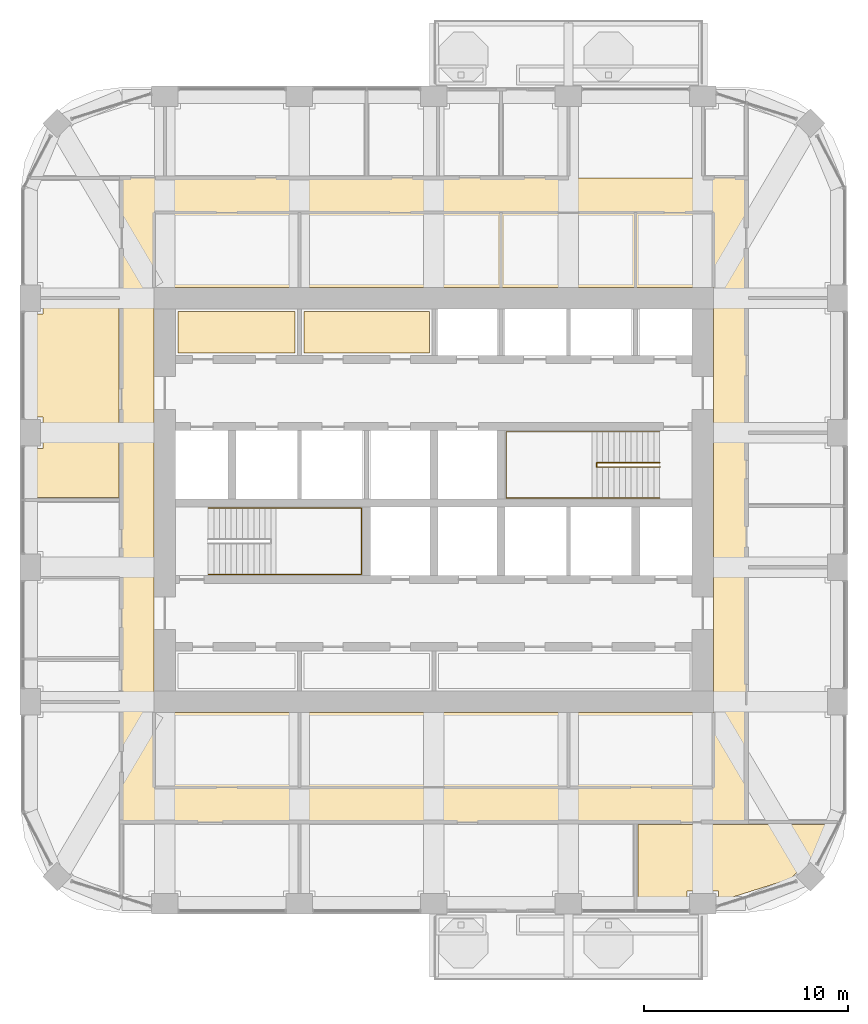
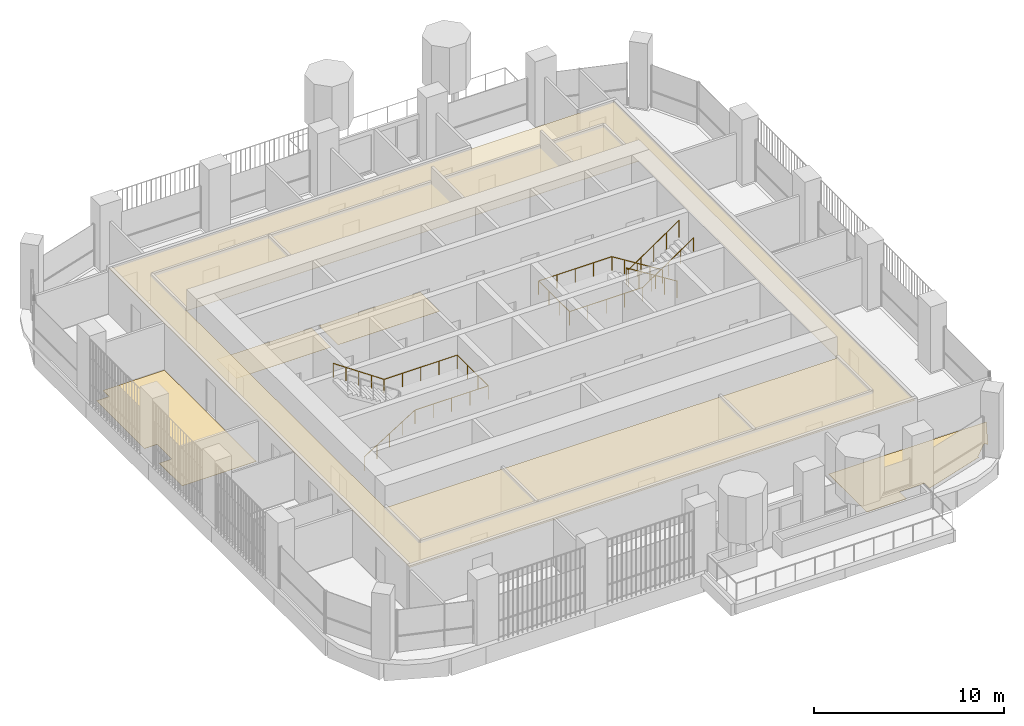
# One storey, part 19 of 21: 5 coverings, 3 railings.
"""IFC4 building model written with IfcOpenShell, lengths in metres."""

from ifc_helpers import new_model, si_unit, direction, frame, origin, place, context, subcontext, project, spatial, polyline, outline, extrude, material, layer, layer_set, type_object, element, save


model = new_model("IFC4")

# Units and contexts
model_context = context("Model", 3, precision=1e-05, world=origin(), true_north=direction((0.0, 1.0)))
body_context = subcontext(model_context, "Body", "Model", "MODEL_VIEW")
ifc_project = project(units=[si_unit("LENGTHUNIT", "METRE"), si_unit("AREAUNIT", "SQUARE_METRE"), si_unit("VOLUMEUNIT", "CUBIC_METRE"), si_unit("PLANEANGLEUNIT", "RADIAN"), si_unit("MASSUNIT", "GRAM", prefix="KILO")], contexts=[model_context])

# Site, building, storey
site_placement = place(None, origin())
site = spatial("IfcSite", under=ifc_project, at=site_placement, CompositionType="ELEMENT")
building_placement = place(site_placement, origin())
building = spatial("IfcBuilding", under=site, at=building_placement, Name="Cobogo Forest Laboratory Tower", CompositionType="ELEMENT")
storey_placement = place(building_placement, frame((0.0, 0.0, 241.800048828125)))
storey = spatial("IfcBuildingStorey", under=building, at=storey_placement, Name="L55", CompositionType="ELEMENT", Elevation=241.800048828125)

# Coverings
ifc_material_1 = material(Name="Mineral fibre ceiling tile", Category="ceiling")
ifc_layer_1 = layer(ifc_material_1, 0.02001953125)
ifc_layer_set_1 = layer_set([ifc_layer_1], Name="CL1 suspended ceiling")
covering_type_1 = type_object("IfcCoveringType", Name="CL1 suspended ceiling", PredefinedType="CEILING", material=ifc_layer_set_1)
covering_1_placement = place(storey_placement, frame((0.0, 0.0, 2.800048828125)))
element("IfcCovering", 1, at=covering_1_placement, inside=storey, type_object=covering_type_1, Name="Corridor ceiling L55", PredefinedType="CEILING", context=body_context, shape_type="SweptSolid", body=[
    extrude(outline(polyline([(11.074951171875, 7.300048828125), (11.074951171875, 38.89990234375), (41.72509765625, 38.89990234375), (41.72509765625, 7.300048828125), (11.074951171875, 7.300048828125)]), holes=[polyline([(40.125, 33.52490234375), (12.675048828125, 33.52490234375), (12.675048828125, 12.675048828125), (40.125, 12.675048828125), (40.125, 33.52490234375)])]), origin(), (0.0, 0.0, 1.0), 0.02001953125),
])
ifc_material_2 = material(Name="Carpet tile on raised access floor", Category="flooring")
ifc_layer_2 = layer(ifc_material_2, 0.008056640625)
ifc_layer_set_2 = layer_set([ifc_layer_2], Name="CT1 carpet tile floor 8")
covering_type_2 = type_object("IfcCoveringType", Name="CT1 carpet tile floor 8", PredefinedType="FLOORING", material=ifc_layer_set_2)
covering_2_placement = place(storey_placement, origin())
element("IfcCovering", 2, at=covering_2_placement, inside=storey, type_object=covering_type_2, Name="Carpet floor L55-10", PredefinedType="FLOORING", context=body_context, shape_type="SweptSolid", body=[
    extrude(outline(polyline([(44.05615234375, 4.56689453125), (40.3701171875, 3.40283203125), (40.3701171875, 3.919921875), (38.830078125, 3.919921875), (38.830078125, 3.14990234375), (36.419921875, 3.14990234375), (36.419921875, 7.179931640625), (45.999267578125, 7.179931640625), (45.035400390625, 5.34130859375), (44.882080078125, 5.494873046875), (44.005126953125, 4.617919921875), (44.05615234375, 4.56689453125)])), origin(), (0.0, 0.0, 1.0), 0.008056640625),
])
covering_3_placement = place(storey_placement, origin())
element("IfcCovering", 3, at=covering_3_placement, inside=storey, type_object=covering_type_2, Name="Carpet floor L55-26", PredefinedType="FLOORING", context=body_context, shape_type="SweptSolid", body=[
    extrude(outline(polyline([(10.955078125, 23.219970703125), (6.449951171875, 23.219970703125), (6.449951171875, 25.6298828125), (7.219970703125, 25.6298828125), (7.219970703125, 27.169921875), (6.449951171875, 27.169921875), (6.449951171875, 32.22998046875), (7.219970703125, 32.22998046875), (7.219970703125, 32.8798828125), (10.955078125, 32.8798828125), (10.955078125, 23.219970703125)])), origin(), (0.0, 0.0, 1.0), 0.008056640625),
])
covering_4_placement = place(storey_placement, origin())
element("IfcCovering", 4, at=covering_4_placement, inside=storey, type_object=covering_type_2, Name="Carpet floor L55-38", PredefinedType="FLOORING", context=body_context, shape_type="SweptSolid", body=[
    extrude(outline(polyline([(19.580078125, 30.320068359375), (13.844970703125, 30.320068359375), (13.844970703125, 32.35498046875), (19.580078125, 32.35498046875), (19.580078125, 30.320068359375)])), origin(), (0.0, 0.0, 1.0), 0.008056640625),
])
covering_5_placement = place(storey_placement, origin())
element("IfcCovering", 5, at=covering_5_placement, inside=storey, type_object=covering_type_2, Name="Carpet floor L55-39", PredefinedType="FLOORING", context=body_context, shape_type="SweptSolid", body=[
    extrude(outline(polyline([(26.179931640625, 30.320068359375), (20.02001953125, 30.320068359375), (20.02001953125, 32.35498046875), (26.179931640625, 32.35498046875), (26.179931640625, 30.320068359375)])), origin(), (0.0, 0.0, 1.0), 0.008056640625),
])

# Railings
ifc_material_3 = material(Name="Steel balustrade", Category="steel")
railing_type_1 = type_object("IfcRailingType", Name="GR stair guard 1100", PredefinedType="GUARDRAIL", material=ifc_material_3)
railing_1_placement = place(storey_placement, frame((37.47509765625, 24.929931640625, 0.175048828125)))
element("IfcRailing", 6, at=railing_1_placement, inside=storey, type_object=railing_type_1, Name="Stair guard ST2 L55", PredefinedType="GUARDRAIL", context=body_context, shape_type="SweptSolid", body=[
    extrude(outline(polyline([(0.022216796875, 0.00927734375), (0.00927734375, 0.022216796875), (-0.00927734375, 0.022216796875), (-0.022216796875, 0.00927734375), (-0.022216796875, -0.00927734375), (-0.00927734375, -0.022216796875), (0.00927734375, -0.022216796875), (0.022216796875, -0.00927734375), (0.022216796875, 0.00927734375)])), frame((0.0, 0.0, 1.077880859375), z_axis=(-0.848028513186, 0.0, 0.529950602248), x_axis=(0.0, -1.0, 0.0)), (0.0, 0.0, 1.0), 3.632080078125),
    extrude(outline(polyline([(0.022216796875, 0.00927734375), (0.00927734375, 0.022216796875), (-0.00927734375, 0.022216796875), (-0.022216796875, 0.00927734375), (-0.022216796875, -0.00927734375), (-0.00927734375, -0.022216796875), (0.00927734375, -0.022216796875), (0.022216796875, -0.00927734375), (0.022216796875, 0.00927734375)])), frame((-3.080078125, 0.0, 3.002685546875), z_axis=(0.0, -1.0, 0.0), x_axis=(1.0, 0.0, 0.0)), (0.0, 0.0, 1.0), 0.2099609375),
    extrude(outline(polyline([(0.022216796875, 0.00927734375), (0.00927734375, 0.022216796875), (-0.00927734375, 0.022216796875), (-0.022216796875, 0.00927734375), (-0.022216796875, -0.00927734375), (-0.00927734375, -0.022216796875), (0.00927734375, -0.022216796875), (0.022216796875, -0.00927734375), (0.022216796875, 0.00927734375)])), frame((-3.080078125, -0.2099609375, 3.002685546875), z_axis=(0.826221800596, 0.0, 0.563344953133), x_axis=(0.0, 1.0, 0.0)), (0.0, 0.0, 1.0), 3.72802734375),
    extrude(outline(polyline([(0.019287109375, 0.008056640625), (0.008056640625, 0.019287109375), (-0.008056640625, 0.019287109375), (-0.019287109375, 0.008056640625), (-0.019287109375, -0.008056640625), (-0.008056640625, -0.019287109375), (0.008056640625, -0.019287109375), (0.019287109375, -0.008056640625), (0.019287109375, 0.008056640625)])), origin(), (0.0, 0.0, 1.0), 1.077880859375),
    extrude(outline(polyline([(0.019287109375, 0.008056640625), (0.008056640625, 0.019287109375), (-0.008056640625, 0.019287109375), (-0.019287109375, 0.008056640625), (-0.019287109375, -0.008056640625), (-0.008056640625, -0.019287109375), (0.008056640625, -0.019287109375), (0.019287109375, -0.008056640625), (0.019287109375, 0.008056640625)])), frame((-0.77001953125, 0.0, 0.481201171875)), (0.0, 0.0, 1.0), 1.077880859375),
    extrude(outline(polyline([(0.019287109375, 0.008056640625), (0.008056640625, 0.019287109375), (-0.008056640625, 0.019287109375), (-0.019287109375, 0.008056640625), (-0.019287109375, -0.008056640625), (-0.008056640625, -0.019287109375), (0.008056640625, -0.019287109375), (0.019287109375, -0.008056640625), (0.019287109375, 0.008056640625)])), frame((-1.5400390625, 0.0, 0.96240234375)), (0.0, 0.0, 1.0), 1.077880859375),
    extrude(outline(polyline([(0.019287109375, 0.008056640625), (0.008056640625, 0.019287109375), (-0.008056640625, 0.019287109375), (-0.019287109375, 0.008056640625), (-0.019287109375, -0.008056640625), (-0.008056640625, -0.019287109375), (0.008056640625, -0.019287109375), (0.019287109375, -0.008056640625), (0.019287109375, 0.008056640625)])), frame((-2.31005859375, 0.0, 1.443603515625)), (0.0, 0.0, 1.0), 1.077880859375),
    extrude(outline(polyline([(0.019287109375, 0.008056640625), (0.008056640625, 0.019287109375), (-0.008056640625, 0.019287109375), (-0.019287109375, 0.008056640625), (-0.019287109375, -0.008056640625), (-0.008056640625, -0.019287109375), (0.008056640625, -0.019287109375), (0.019287109375, -0.008056640625), (0.019287109375, 0.008056640625)])), frame((-3.080078125, 0.0, 1.9248046875)), (0.0, 0.0, 1.0), 1.077880859375),
    extrude(outline(polyline([(0.019287109375, 0.008056640625), (0.008056640625, 0.019287109375), (-0.008056640625, 0.019287109375), (-0.019287109375, 0.008056640625), (-0.019287109375, -0.008056640625), (-0.008056640625, -0.019287109375), (0.008056640625, -0.019287109375), (0.019287109375, -0.008056640625), (0.019287109375, 0.008056640625)])), frame((-3.080078125, -0.2099609375, 1.9248046875)), (0.0, 0.0, 1.0), 1.077880859375),
    extrude(outline(polyline([(0.019287109375, 0.008056640625), (0.008056640625, 0.019287109375), (-0.008056640625, 0.019287109375), (-0.019287109375, 0.008056640625), (-0.019287109375, -0.008056640625), (-0.008056640625, -0.019287109375), (0.008056640625, -0.019287109375), (0.019287109375, -0.008056640625), (0.019287109375, 0.008056640625)])), frame((-2.31005859375, -0.2099609375, 2.44970703125)), (0.0, 0.0, 1.0), 1.077880859375),
    extrude(outline(polyline([(0.019287109375, 0.008056640625), (0.008056640625, 0.019287109375), (-0.008056640625, 0.019287109375), (-0.019287109375, 0.008056640625), (-0.019287109375, -0.008056640625), (-0.008056640625, -0.019287109375), (0.008056640625, -0.019287109375), (0.019287109375, -0.008056640625), (0.019287109375, 0.008056640625)])), frame((-1.5400390625, -0.2099609375, 2.974853515625)), (0.0, 0.0, 1.0), 1.077880859375),
    extrude(outline(polyline([(0.019287109375, 0.008056640625), (0.008056640625, 0.019287109375), (-0.008056640625, 0.019287109375), (-0.019287109375, 0.008056640625), (-0.019287109375, -0.008056640625), (-0.008056640625, -0.019287109375), (0.008056640625, -0.019287109375), (0.019287109375, -0.008056640625), (0.019287109375, 0.008056640625)])), frame((-0.77001953125, -0.2099609375, 3.5)), (0.0, 0.0, 1.0), 1.077880859375),
    extrude(outline(polyline([(0.019287109375, 0.008056640625), (0.008056640625, 0.019287109375), (-0.008056640625, 0.019287109375), (-0.019287109375, 0.008056640625), (-0.019287109375, -0.008056640625), (-0.008056640625, -0.019287109375), (0.008056640625, -0.019287109375), (0.019287109375, -0.008056640625), (0.019287109375, 0.008056640625)])), frame((0.0, -0.2099609375, 4.02490234375)), (0.0, 0.0, 1.0), 1.077880859375),
])
ifc_material_4 = material(Name="Stainless steel handrail", Category="steel")
railing_type_2 = type_object("IfcRailingType", Name="HR handrail 900", PredefinedType="HANDRAIL", material=ifc_material_4)
railing_2_placement = place(storey_placement, frame((15.324951171875, 19.449951171875, 0.175048828125)))
element("IfcRailing", 7, at=railing_2_placement, inside=storey, type_object=railing_type_2, Name="Stair handrail ST1 L55", PredefinedType="HANDRAIL", context=body_context, shape_type="SweptSolid", body=[
    extrude(outline(polyline([(0.022216796875, 0.00927734375), (0.00927734375, 0.022216796875), (-0.00927734375, 0.022216796875), (-0.022216796875, 0.00927734375), (-0.022216796875, -0.00927734375), (-0.00927734375, -0.022216796875), (0.00927734375, -0.022216796875), (0.022216796875, -0.00927734375), (0.022216796875, 0.00927734375)])), frame((0.0, 0.0, 0.877685546875), z_axis=(0.848028513186, 0.0, 0.529950602248), x_axis=(0.0, 1.0, 0.0)), (0.0, 0.0, 1.0), 3.632080078125),
    extrude(outline(polyline([(0.022216796875, 0.00927734375), (0.00927734375, 0.022216796875), (-0.00927734375, 0.022216796875), (-0.022216796875, 0.00927734375), (-0.022216796875, -0.00927734375), (-0.00927734375, -0.022216796875), (0.00927734375, -0.022216796875), (0.022216796875, -0.00927734375), (0.022216796875, 0.00927734375)])), frame((3.080078125, 0.0, 2.802490234375), z_axis=(1.0, 0.0, 0.0), x_axis=(0.0, 1.0, 0.0)), (0.0, 0.0, 1.0), 4.445068359375),
    extrude(outline(polyline([(0.022216796875, 0.00927734375), (0.00927734375, 0.022216796875), (-0.00927734375, 0.022216796875), (-0.022216796875, 0.00927734375), (-0.022216796875, -0.00927734375), (-0.00927734375, -0.022216796875), (0.00927734375, -0.022216796875), (0.022216796875, -0.00927734375), (0.022216796875, 0.00927734375)])), frame((7.525146484375, 0.0, 2.802490234375), z_axis=(0.0, 1.0, 0.0), x_axis=(-1.0, 0.0, 0.0)), (0.0, 0.0, 1.0), 3.25),
    extrude(outline(polyline([(0.022216796875, 0.00927734375), (0.00927734375, 0.022216796875), (-0.00927734375, 0.022216796875), (-0.022216796875, 0.00927734375), (-0.022216796875, -0.00927734375), (-0.00927734375, -0.022216796875), (0.00927734375, -0.022216796875), (0.022216796875, -0.00927734375), (0.022216796875, 0.00927734375)])), frame((7.525146484375, 3.25, 2.802490234375), z_axis=(-1.0, 0.0, 0.0), x_axis=(0.0, -1.0, 0.0)), (0.0, 0.0, 1.0), 4.445068359375),
    extrude(outline(polyline([(0.022216796875, 0.00927734375), (0.00927734375, 0.022216796875), (-0.00927734375, 0.022216796875), (-0.022216796875, 0.00927734375), (-0.022216796875, -0.00927734375), (-0.00927734375, -0.022216796875), (0.00927734375, -0.022216796875), (0.022216796875, -0.00927734375), (0.022216796875, 0.00927734375)])), frame((3.080078125, 3.25, 2.802490234375), z_axis=(-0.826221800596, 0.0, 0.563344953133), x_axis=(0.0, -1.0, 0.0)), (0.0, 0.0, 1.0), 3.72802734375),
    extrude(outline(polyline([(0.019287109375, 0.008056640625), (0.008056640625, 0.019287109375), (-0.008056640625, 0.019287109375), (-0.019287109375, 0.008056640625), (-0.019287109375, -0.008056640625), (-0.008056640625, -0.019287109375), (0.008056640625, -0.019287109375), (0.019287109375, -0.008056640625), (0.019287109375, 0.008056640625)])), origin(), (0.0, 0.0, 1.0), 0.877685546875),
    extrude(outline(polyline([(0.019287109375, 0.008056640625), (0.008056640625, 0.019287109375), (-0.008056640625, 0.019287109375), (-0.019287109375, 0.008056640625), (-0.019287109375, -0.008056640625), (-0.008056640625, -0.019287109375), (0.008056640625, -0.019287109375), (0.019287109375, -0.008056640625), (0.019287109375, 0.008056640625)])), frame((0.77001953125, 0.0, 0.481201171875)), (0.0, 0.0, 1.0), 0.877685546875),
    extrude(outline(polyline([(0.019287109375, 0.008056640625), (0.008056640625, 0.019287109375), (-0.008056640625, 0.019287109375), (-0.019287109375, 0.008056640625), (-0.019287109375, -0.008056640625), (-0.008056640625, -0.019287109375), (0.008056640625, -0.019287109375), (0.019287109375, -0.008056640625), (0.019287109375, 0.008056640625)])), frame((1.5400390625, 0.0, 0.96240234375)), (0.0, 0.0, 1.0), 0.877685546875),
    extrude(outline(polyline([(0.019287109375, 0.008056640625), (0.008056640625, 0.019287109375), (-0.008056640625, 0.019287109375), (-0.019287109375, 0.008056640625), (-0.019287109375, -0.008056640625), (-0.008056640625, -0.019287109375), (0.008056640625, -0.019287109375), (0.019287109375, -0.008056640625), (0.019287109375, 0.008056640625)])), frame((2.31005859375, 0.0, 1.443603515625)), (0.0, 0.0, 1.0), 0.877685546875),
    extrude(outline(polyline([(0.019287109375, 0.008056640625), (0.008056640625, 0.019287109375), (-0.008056640625, 0.019287109375), (-0.019287109375, 0.008056640625), (-0.019287109375, -0.008056640625), (-0.008056640625, -0.019287109375), (0.008056640625, -0.019287109375), (0.019287109375, -0.008056640625), (0.019287109375, 0.008056640625)])), frame((3.080078125, 0.0, 1.9248046875)), (0.0, 0.0, 1.0), 0.877685546875),
    extrude(outline(polyline([(0.019287109375, 0.008056640625), (0.008056640625, 0.019287109375), (-0.008056640625, 0.019287109375), (-0.019287109375, 0.008056640625), (-0.019287109375, -0.008056640625), (-0.008056640625, -0.019287109375), (0.008056640625, -0.019287109375), (0.019287109375, -0.008056640625), (0.019287109375, 0.008056640625)])), frame((4.19140625, 0.0, 1.9248046875)), (0.0, 0.0, 1.0), 0.877685546875),
    extrude(outline(polyline([(0.019287109375, 0.008056640625), (0.008056640625, 0.019287109375), (-0.008056640625, 0.019287109375), (-0.019287109375, 0.008056640625), (-0.019287109375, -0.008056640625), (-0.008056640625, -0.019287109375), (0.008056640625, -0.019287109375), (0.019287109375, -0.008056640625), (0.019287109375, 0.008056640625)])), frame((5.302734375, 0.0, 1.9248046875)), (0.0, 0.0, 1.0), 0.877685546875),
    extrude(outline(polyline([(0.019287109375, 0.008056640625), (0.008056640625, 0.019287109375), (-0.008056640625, 0.019287109375), (-0.019287109375, 0.008056640625), (-0.019287109375, -0.008056640625), (-0.008056640625, -0.019287109375), (0.008056640625, -0.019287109375), (0.019287109375, -0.008056640625), (0.019287109375, 0.008056640625)])), frame((6.413818359375, 0.0, 1.9248046875)), (0.0, 0.0, 1.0), 0.877685546875),
    extrude(outline(polyline([(0.019287109375, 0.008056640625), (0.008056640625, 0.019287109375), (-0.008056640625, 0.019287109375), (-0.019287109375, 0.008056640625), (-0.019287109375, -0.008056640625), (-0.008056640625, -0.019287109375), (0.008056640625, -0.019287109375), (0.019287109375, -0.008056640625), (0.019287109375, 0.008056640625)])), frame((7.525146484375, 0.0, 1.9248046875)), (0.0, 0.0, 1.0), 0.877685546875),
    extrude(outline(polyline([(0.019287109375, 0.008056640625), (0.008056640625, 0.019287109375), (-0.008056640625, 0.019287109375), (-0.019287109375, 0.008056640625), (-0.019287109375, -0.008056640625), (-0.008056640625, -0.019287109375), (0.008056640625, -0.019287109375), (0.019287109375, -0.008056640625), (0.019287109375, 0.008056640625)])), frame((7.525146484375, 1.083251953125, 1.9248046875)), (0.0, 0.0, 1.0), 0.877685546875),
    extrude(outline(polyline([(0.019287109375, 0.008056640625), (0.008056640625, 0.019287109375), (-0.008056640625, 0.019287109375), (-0.019287109375, 0.008056640625), (-0.019287109375, -0.008056640625), (-0.008056640625, -0.019287109375), (0.008056640625, -0.019287109375), (0.019287109375, -0.008056640625), (0.019287109375, 0.008056640625)])), frame((7.525146484375, 2.166748046875, 1.9248046875)), (0.0, 0.0, 1.0), 0.877685546875),
    extrude(outline(polyline([(0.019287109375, 0.008056640625), (0.008056640625, 0.019287109375), (-0.008056640625, 0.019287109375), (-0.019287109375, 0.008056640625), (-0.019287109375, -0.008056640625), (-0.008056640625, -0.019287109375), (0.008056640625, -0.019287109375), (0.019287109375, -0.008056640625), (0.019287109375, 0.008056640625)])), frame((7.525146484375, 3.25, 1.9248046875)), (0.0, 0.0, 1.0), 0.877685546875),
    extrude(outline(polyline([(0.019287109375, 0.008056640625), (0.008056640625, 0.019287109375), (-0.008056640625, 0.019287109375), (-0.019287109375, 0.008056640625), (-0.019287109375, -0.008056640625), (-0.008056640625, -0.019287109375), (0.008056640625, -0.019287109375), (0.019287109375, -0.008056640625), (0.019287109375, 0.008056640625)])), frame((6.413818359375, 3.25, 1.9248046875)), (0.0, 0.0, 1.0), 0.877685546875),
    extrude(outline(polyline([(0.019287109375, 0.008056640625), (0.008056640625, 0.019287109375), (-0.008056640625, 0.019287109375), (-0.019287109375, 0.008056640625), (-0.019287109375, -0.008056640625), (-0.008056640625, -0.019287109375), (0.008056640625, -0.019287109375), (0.019287109375, -0.008056640625), (0.019287109375, 0.008056640625)])), frame((5.302734375, 3.25, 1.9248046875)), (0.0, 0.0, 1.0), 0.877685546875),
    extrude(outline(polyline([(0.019287109375, 0.008056640625), (0.008056640625, 0.019287109375), (-0.008056640625, 0.019287109375), (-0.019287109375, 0.008056640625), (-0.019287109375, -0.008056640625), (-0.008056640625, -0.019287109375), (0.008056640625, -0.019287109375), (0.019287109375, -0.008056640625), (0.019287109375, 0.008056640625)])), frame((4.19140625, 3.25, 1.9248046875)), (0.0, 0.0, 1.0), 0.877685546875),
    extrude(outline(polyline([(0.019287109375, 0.008056640625), (0.008056640625, 0.019287109375), (-0.008056640625, 0.019287109375), (-0.019287109375, 0.008056640625), (-0.019287109375, -0.008056640625), (-0.008056640625, -0.019287109375), (0.008056640625, -0.019287109375), (0.019287109375, -0.008056640625), (0.019287109375, 0.008056640625)])), frame((3.080078125, 3.25, 1.9248046875)), (0.0, 0.0, 1.0), 0.877685546875),
    extrude(outline(polyline([(0.019287109375, 0.008056640625), (0.008056640625, 0.019287109375), (-0.008056640625, 0.019287109375), (-0.019287109375, 0.008056640625), (-0.019287109375, -0.008056640625), (-0.008056640625, -0.019287109375), (0.008056640625, -0.019287109375), (0.019287109375, -0.008056640625), (0.019287109375, 0.008056640625)])), frame((2.31005859375, 3.25, 2.44970703125)), (0.0, 0.0, 1.0), 0.877685546875),
    extrude(outline(polyline([(0.019287109375, 0.008056640625), (0.008056640625, 0.019287109375), (-0.008056640625, 0.019287109375), (-0.019287109375, 0.008056640625), (-0.019287109375, -0.008056640625), (-0.008056640625, -0.019287109375), (0.008056640625, -0.019287109375), (0.019287109375, -0.008056640625), (0.019287109375, 0.008056640625)])), frame((1.5400390625, 3.25, 2.974853515625)), (0.0, 0.0, 1.0), 0.877685546875),
    extrude(outline(polyline([(0.019287109375, 0.008056640625), (0.008056640625, 0.019287109375), (-0.008056640625, 0.019287109375), (-0.019287109375, 0.008056640625), (-0.019287109375, -0.008056640625), (-0.008056640625, -0.019287109375), (0.008056640625, -0.019287109375), (0.019287109375, -0.008056640625), (0.019287109375, 0.008056640625)])), frame((0.77001953125, 3.25, 3.5)), (0.0, 0.0, 1.0), 0.877685546875),
    extrude(outline(polyline([(0.019287109375, 0.008056640625), (0.008056640625, 0.019287109375), (-0.008056640625, 0.019287109375), (-0.019287109375, 0.008056640625), (-0.019287109375, -0.008056640625), (-0.008056640625, -0.019287109375), (0.008056640625, -0.019287109375), (0.019287109375, -0.008056640625), (0.019287109375, 0.008056640625)])), frame((0.0, 3.25, 4.02490234375)), (0.0, 0.0, 1.0), 0.877685546875),
])
railing_3_placement = place(storey_placement, frame((37.47509765625, 26.449951171875, 0.175048828125)))
element("IfcRailing", 8, at=railing_3_placement, inside=storey, type_object=railing_type_2, Name="Stair handrail ST2 L55", PredefinedType="HANDRAIL", context=body_context, shape_type="SweptSolid", body=[
    extrude(outline(polyline([(0.022216796875, 0.00927734375), (0.00927734375, 0.022216796875), (-0.00927734375, 0.022216796875), (-0.022216796875, 0.00927734375), (-0.022216796875, -0.00927734375), (-0.00927734375, -0.022216796875), (0.00927734375, -0.022216796875), (0.022216796875, -0.00927734375), (0.022216796875, 0.00927734375)])), frame((0.0, 0.0, 0.877685546875), z_axis=(-0.848028513186, 0.0, 0.529950602248), x_axis=(0.0, -1.0, 0.0)), (0.0, 0.0, 1.0), 3.632080078125),
    extrude(outline(polyline([(0.022216796875, 0.00927734375), (0.00927734375, 0.022216796875), (-0.00927734375, 0.022216796875), (-0.022216796875, 0.00927734375), (-0.022216796875, -0.00927734375), (-0.00927734375, -0.022216796875), (0.00927734375, -0.022216796875), (0.022216796875, -0.00927734375), (0.022216796875, 0.00927734375)])), frame((-3.080078125, 0.0, 2.802490234375), z_axis=(-1.0, 0.0, 0.0), x_axis=(0.0, -1.0, 0.0)), (0.0, 0.0, 1.0), 4.445068359375),
    extrude(outline(polyline([(0.022216796875, 0.00927734375), (0.00927734375, 0.022216796875), (-0.00927734375, 0.022216796875), (-0.022216796875, 0.00927734375), (-0.022216796875, -0.00927734375), (-0.00927734375, -0.022216796875), (0.00927734375, -0.022216796875), (0.022216796875, -0.00927734375), (0.022216796875, 0.00927734375)])), frame((-7.525146484375, 0.0, 2.802490234375), z_axis=(0.0, -1.0, 0.0), x_axis=(1.0, 0.0, 0.0)), (0.0, 0.0, 1.0), 3.25),
    extrude(outline(polyline([(0.022216796875, 0.00927734375), (0.00927734375, 0.022216796875), (-0.00927734375, 0.022216796875), (-0.022216796875, 0.00927734375), (-0.022216796875, -0.00927734375), (-0.00927734375, -0.022216796875), (0.00927734375, -0.022216796875), (0.022216796875, -0.00927734375), (0.022216796875, 0.00927734375)])), frame((-7.525146484375, -3.25, 2.802490234375), z_axis=(1.0, 0.0, 0.0), x_axis=(0.0, 1.0, 0.0)), (0.0, 0.0, 1.0), 4.445068359375),
    extrude(outline(polyline([(0.022216796875, 0.00927734375), (0.00927734375, 0.022216796875), (-0.00927734375, 0.022216796875), (-0.022216796875, 0.00927734375), (-0.022216796875, -0.00927734375), (-0.00927734375, -0.022216796875), (0.00927734375, -0.022216796875), (0.022216796875, -0.00927734375), (0.022216796875, 0.00927734375)])), frame((-3.080078125, -3.25, 2.802490234375), z_axis=(0.826221800596, 0.0, 0.563344953133), x_axis=(0.0, 1.0, 0.0)), (0.0, 0.0, 1.0), 3.72802734375),
    extrude(outline(polyline([(0.019287109375, 0.008056640625), (0.008056640625, 0.019287109375), (-0.008056640625, 0.019287109375), (-0.019287109375, 0.008056640625), (-0.019287109375, -0.008056640625), (-0.008056640625, -0.019287109375), (0.008056640625, -0.019287109375), (0.019287109375, -0.008056640625), (0.019287109375, 0.008056640625)])), origin(), (0.0, 0.0, 1.0), 0.877685546875),
    extrude(outline(polyline([(0.019287109375, 0.008056640625), (0.008056640625, 0.019287109375), (-0.008056640625, 0.019287109375), (-0.019287109375, 0.008056640625), (-0.019287109375, -0.008056640625), (-0.008056640625, -0.019287109375), (0.008056640625, -0.019287109375), (0.019287109375, -0.008056640625), (0.019287109375, 0.008056640625)])), frame((-0.77001953125, 0.0, 0.481201171875)), (0.0, 0.0, 1.0), 0.877685546875),
    extrude(outline(polyline([(0.019287109375, 0.008056640625), (0.008056640625, 0.019287109375), (-0.008056640625, 0.019287109375), (-0.019287109375, 0.008056640625), (-0.019287109375, -0.008056640625), (-0.008056640625, -0.019287109375), (0.008056640625, -0.019287109375), (0.019287109375, -0.008056640625), (0.019287109375, 0.008056640625)])), frame((-1.5400390625, 0.0, 0.96240234375)), (0.0, 0.0, 1.0), 0.877685546875),
    extrude(outline(polyline([(0.019287109375, 0.008056640625), (0.008056640625, 0.019287109375), (-0.008056640625, 0.019287109375), (-0.019287109375, 0.008056640625), (-0.019287109375, -0.008056640625), (-0.008056640625, -0.019287109375), (0.008056640625, -0.019287109375), (0.019287109375, -0.008056640625), (0.019287109375, 0.008056640625)])), frame((-2.31005859375, 0.0, 1.443603515625)), (0.0, 0.0, 1.0), 0.877685546875),
    extrude(outline(polyline([(0.019287109375, 0.008056640625), (0.008056640625, 0.019287109375), (-0.008056640625, 0.019287109375), (-0.019287109375, 0.008056640625), (-0.019287109375, -0.008056640625), (-0.008056640625, -0.019287109375), (0.008056640625, -0.019287109375), (0.019287109375, -0.008056640625), (0.019287109375, 0.008056640625)])), frame((-3.080078125, 0.0, 1.9248046875)), (0.0, 0.0, 1.0), 0.877685546875),
    extrude(outline(polyline([(0.019287109375, 0.008056640625), (0.008056640625, 0.019287109375), (-0.008056640625, 0.019287109375), (-0.019287109375, 0.008056640625), (-0.019287109375, -0.008056640625), (-0.008056640625, -0.019287109375), (0.008056640625, -0.019287109375), (0.019287109375, -0.008056640625), (0.019287109375, 0.008056640625)])), frame((-4.19140625, 0.0, 1.9248046875)), (0.0, 0.0, 1.0), 0.877685546875),
    extrude(outline(polyline([(0.019287109375, 0.008056640625), (0.008056640625, 0.019287109375), (-0.008056640625, 0.019287109375), (-0.019287109375, 0.008056640625), (-0.019287109375, -0.008056640625), (-0.008056640625, -0.019287109375), (0.008056640625, -0.019287109375), (0.019287109375, -0.008056640625), (0.019287109375, 0.008056640625)])), frame((-5.302734375, 0.0, 1.9248046875)), (0.0, 0.0, 1.0), 0.877685546875),
    extrude(outline(polyline([(0.019287109375, 0.008056640625), (0.008056640625, 0.019287109375), (-0.008056640625, 0.019287109375), (-0.019287109375, 0.008056640625), (-0.019287109375, -0.008056640625), (-0.008056640625, -0.019287109375), (0.008056640625, -0.019287109375), (0.019287109375, -0.008056640625), (0.019287109375, 0.008056640625)])), frame((-6.413818359375, 0.0, 1.9248046875)), (0.0, 0.0, 1.0), 0.877685546875),
    extrude(outline(polyline([(0.019287109375, 0.008056640625), (0.008056640625, 0.019287109375), (-0.008056640625, 0.019287109375), (-0.019287109375, 0.008056640625), (-0.019287109375, -0.008056640625), (-0.008056640625, -0.019287109375), (0.008056640625, -0.019287109375), (0.019287109375, -0.008056640625), (0.019287109375, 0.008056640625)])), frame((-7.525146484375, 0.0, 1.9248046875)), (0.0, 0.0, 1.0), 0.877685546875),
    extrude(outline(polyline([(0.019287109375, 0.008056640625), (0.008056640625, 0.019287109375), (-0.008056640625, 0.019287109375), (-0.019287109375, 0.008056640625), (-0.019287109375, -0.008056640625), (-0.008056640625, -0.019287109375), (0.008056640625, -0.019287109375), (0.019287109375, -0.008056640625), (0.019287109375, 0.008056640625)])), frame((-7.525146484375, -1.083251953125, 1.9248046875)), (0.0, 0.0, 1.0), 0.877685546875),
    extrude(outline(polyline([(0.019287109375, 0.008056640625), (0.008056640625, 0.019287109375), (-0.008056640625, 0.019287109375), (-0.019287109375, 0.008056640625), (-0.019287109375, -0.008056640625), (-0.008056640625, -0.019287109375), (0.008056640625, -0.019287109375), (0.019287109375, -0.008056640625), (0.019287109375, 0.008056640625)])), frame((-7.525146484375, -2.166748046875, 1.9248046875)), (0.0, 0.0, 1.0), 0.877685546875),
    extrude(outline(polyline([(0.019287109375, 0.008056640625), (0.008056640625, 0.019287109375), (-0.008056640625, 0.019287109375), (-0.019287109375, 0.008056640625), (-0.019287109375, -0.008056640625), (-0.008056640625, -0.019287109375), (0.008056640625, -0.019287109375), (0.019287109375, -0.008056640625), (0.019287109375, 0.008056640625)])), frame((-7.525146484375, -3.25, 1.9248046875)), (0.0, 0.0, 1.0), 0.877685546875),
    extrude(outline(polyline([(0.019287109375, 0.008056640625), (0.008056640625, 0.019287109375), (-0.008056640625, 0.019287109375), (-0.019287109375, 0.008056640625), (-0.019287109375, -0.008056640625), (-0.008056640625, -0.019287109375), (0.008056640625, -0.019287109375), (0.019287109375, -0.008056640625), (0.019287109375, 0.008056640625)])), frame((-6.413818359375, -3.25, 1.9248046875)), (0.0, 0.0, 1.0), 0.877685546875),
    extrude(outline(polyline([(0.019287109375, 0.008056640625), (0.008056640625, 0.019287109375), (-0.008056640625, 0.019287109375), (-0.019287109375, 0.008056640625), (-0.019287109375, -0.008056640625), (-0.008056640625, -0.019287109375), (0.008056640625, -0.019287109375), (0.019287109375, -0.008056640625), (0.019287109375, 0.008056640625)])), frame((-5.302734375, -3.25, 1.9248046875)), (0.0, 0.0, 1.0), 0.877685546875),
    extrude(outline(polyline([(0.019287109375, 0.008056640625), (0.008056640625, 0.019287109375), (-0.008056640625, 0.019287109375), (-0.019287109375, 0.008056640625), (-0.019287109375, -0.008056640625), (-0.008056640625, -0.019287109375), (0.008056640625, -0.019287109375), (0.019287109375, -0.008056640625), (0.019287109375, 0.008056640625)])), frame((-4.19140625, -3.25, 1.9248046875)), (0.0, 0.0, 1.0), 0.877685546875),
    extrude(outline(polyline([(0.019287109375, 0.008056640625), (0.008056640625, 0.019287109375), (-0.008056640625, 0.019287109375), (-0.019287109375, 0.008056640625), (-0.019287109375, -0.008056640625), (-0.008056640625, -0.019287109375), (0.008056640625, -0.019287109375), (0.019287109375, -0.008056640625), (0.019287109375, 0.008056640625)])), frame((-3.080078125, -3.25, 1.9248046875)), (0.0, 0.0, 1.0), 0.877685546875),
    extrude(outline(polyline([(0.019287109375, 0.008056640625), (0.008056640625, 0.019287109375), (-0.008056640625, 0.019287109375), (-0.019287109375, 0.008056640625), (-0.019287109375, -0.008056640625), (-0.008056640625, -0.019287109375), (0.008056640625, -0.019287109375), (0.019287109375, -0.008056640625), (0.019287109375, 0.008056640625)])), frame((-2.31005859375, -3.25, 2.44970703125)), (0.0, 0.0, 1.0), 0.877685546875),
    extrude(outline(polyline([(0.019287109375, 0.008056640625), (0.008056640625, 0.019287109375), (-0.008056640625, 0.019287109375), (-0.019287109375, 0.008056640625), (-0.019287109375, -0.008056640625), (-0.008056640625, -0.019287109375), (0.008056640625, -0.019287109375), (0.019287109375, -0.008056640625), (0.019287109375, 0.008056640625)])), frame((-1.5400390625, -3.25, 2.974853515625)), (0.0, 0.0, 1.0), 0.877685546875),
    extrude(outline(polyline([(0.019287109375, 0.008056640625), (0.008056640625, 0.019287109375), (-0.008056640625, 0.019287109375), (-0.019287109375, 0.008056640625), (-0.019287109375, -0.008056640625), (-0.008056640625, -0.019287109375), (0.008056640625, -0.019287109375), (0.019287109375, -0.008056640625), (0.019287109375, 0.008056640625)])), frame((-0.77001953125, -3.25, 3.5)), (0.0, 0.0, 1.0), 0.877685546875),
    extrude(outline(polyline([(0.019287109375, 0.008056640625), (0.008056640625, 0.019287109375), (-0.008056640625, 0.019287109375), (-0.019287109375, 0.008056640625), (-0.019287109375, -0.008056640625), (-0.008056640625, -0.019287109375), (0.008056640625, -0.019287109375), (0.019287109375, -0.008056640625), (0.019287109375, 0.008056640625)])), frame((0.0, -3.25, 4.02490234375)), (0.0, 0.0, 1.0), 0.877685546875),
])

save(model, "model.ifc")
